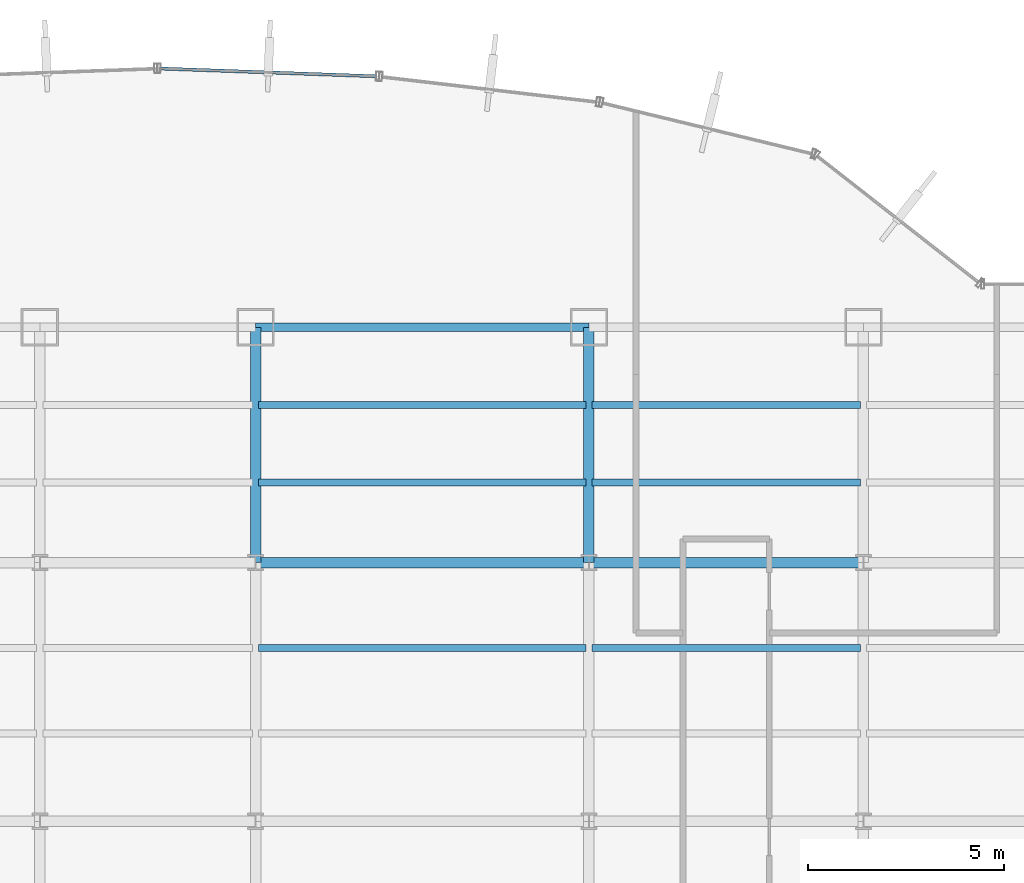
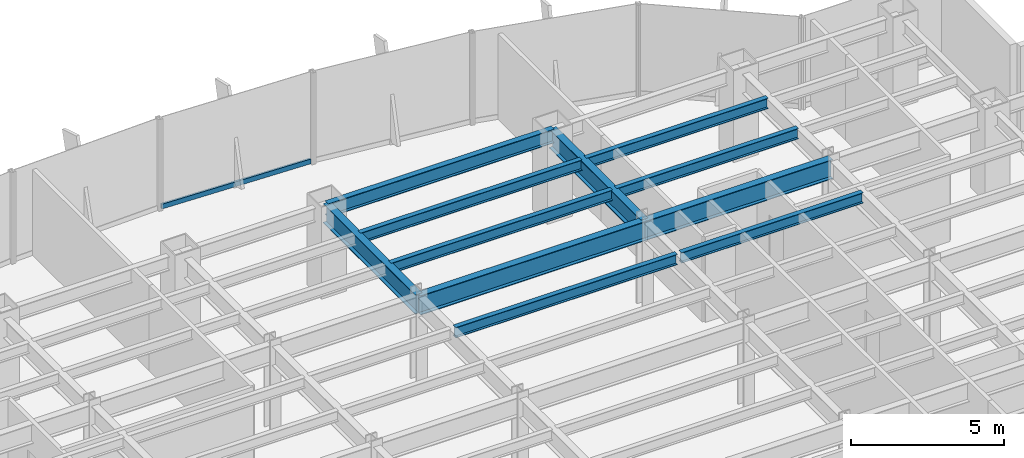
# One storey, part 13 of 22: 11 beams, 1 member, 1 element without a shape of its own.
"""IFC4 building model written with IfcOpenShell, lengths in metres."""

from ifc_helpers import new_model, si_unit, derived_unit, direction, frame, origin, origin_2d, place, context, subcontext, project, spatial, hollow_rectangle, i_section, extrude, source, transform, mapped, material, material_profile, profile_set, type_object, element, aggregate, save


model = new_model("IFC4")

# Units and contexts
model_context = context("Model", 3, precision=1e-05, world=origin(), true_north=direction((0.0, 1.0)))
body_context = subcontext(model_context, "Body", "Model", "MODEL_VIEW")
ifc_project = project(units=[si_unit("LENGTHUNIT", "METRE"), si_unit("AREAUNIT", "SQUARE_METRE"), si_unit("VOLUMEUNIT", "CUBIC_METRE"), si_unit("PLANEANGLEUNIT", "RADIAN"), si_unit("MASSUNIT", "GRAM", prefix="KILO"), derived_unit("THERMALTRANSMITTANCEUNIT", [(si_unit("POWERUNIT", "WATT"), 1), (si_unit("LENGTHUNIT", "METRE"), -2), (si_unit("THERMODYNAMICTEMPERATUREUNIT", "KELVIN"), -1)])], contexts=[model_context])

# Site, building, storey
site_placement = place(None, origin())
site = spatial("IfcSite", under=ifc_project, at=site_placement, CompositionType="ELEMENT")
building_placement = place(site_placement, origin())
building = spatial("IfcBuilding", under=site, at=building_placement, Name="Skarnbrae Concourse Arena and Tower", CompositionType="ELEMENT")
storey_placement = place(building_placement, frame((0.0, 0.0, 39.800048828125)))
storey = spatial("IfcBuildingStorey", under=building, at=storey_placement, Name="L08", CompositionType="ELEMENT", Elevation=39.800048828125)

# Beams
ifc_material_1 = material(Name="Steel CSA G40.21 350W", Category="steel")
ifc_material_profile_1 = material_profile(ifc_material_1, i_section(OverallWidth=0.26806640625, OverallDepth=0.77001953125, WebThickness=0.015625, FlangeThickness=0.025390625, at=origin_2d()), Name="W760X196")
ifc_profile_set_1 = profile_set([ifc_material_profile_1], Name="Steel CSA G40.21 350W")
beam_type_1 = type_object("IfcBeamType", Name="BM-GIRD-W760X196", PredefinedType="BEAM", material=ifc_profile_set_1)
shared_shape_1 = source(origin(), body_context, "Body", "SweptSolid", [
    extrude(i_section(OverallWidth=0.26806640625, OverallDepth=0.77001953125, WebThickness=0.015625, FlangeThickness=0.025390625, at=origin_2d()), origin(), (0.0, 0.0, 1.0), 7.0),
])
beam_1_placement = place(storey_placement, frame((42.0, 34.39990234375, 3.014892578125), z_axis=(1.0, 0.0, 0.0), x_axis=(0.0, 1.0, 0.0)))
element("IfcBeam", 1, at=beam_1_placement, inside=storey, type_object=beam_type_1, Name="L08 Primary E-W girder Y34.4-7", PredefinedType="BEAM", context=body_context, shape_type="MappedRepresentation", body=[
    mapped(shared_shape_1, transform((0.0, 0.0, 0.0))),
])
shared_shape_2 = source(origin(), body_context, "Body", "SweptSolid", [
    extrude(i_section(OverallWidth=0.26806640625, OverallDepth=0.77001953125, WebThickness=0.015625, FlangeThickness=0.025390625, at=origin_2d()), origin(), (0.0, 0.0, 1.0), 8.5),
])
beam_2_placement = place(storey_placement, frame((33.5, 34.39990234375, 3.014892578125), z_axis=(1.0, 0.0, 0.0), x_axis=(0.0, 1.0, 0.0)))
element("IfcBeam", 2, at=beam_2_placement, inside=storey, type_object=beam_type_1, Name="L08 Primary E-W girder Y34.4-6", PredefinedType="BEAM", context=body_context, shape_type="MappedRepresentation", body=[
    mapped(shared_shape_2, transform((0.0, 0.0, 0.0))),
])
shared_shape_3 = source(origin(), body_context, "Body", "SweptSolid", [
    extrude(i_section(OverallWidth=0.26806640625, OverallDepth=0.77001953125, WebThickness=0.015625, FlangeThickness=0.025390625, at=origin_2d()), origin(), (0.0, 0.0, 1.0), 6.0),
])
for number, where, z_axis, x_axis, name in (
    (3, (33.5, 34.39990234375, 3.014892578125), (0.0, 1.0, 0.0), (-1.0, 0.0, 0.0), "L08 Primary N-S girder X33.5-4"),
    (4, (42.0, 34.39990234375, 3.014892578125), (0.0, 1.0, 0.0), (-1.0, 0.0, 0.0), "L08 Primary N-S girder X42.0-5"),
):
    element("IfcBeam", number, at=place(storey_placement, frame(where, z_axis=z_axis, x_axis=x_axis)), inside=storey, type_object=beam_type_1, Name=name, PredefinedType="BEAM", context=body_context, shape_type="MappedRepresentation", body=[
        mapped(shared_shape_3, transform((0.0, 0.0, 0.0))),
    ])
ifc_material_profile_2 = material_profile(ifc_material_1, i_section(OverallWidth=0.214111328125, OverallDepth=0.549072265625, WebThickness=0.0146484375, FlangeThickness=0.023681640625, at=origin_2d()), Name="W530X138")
ifc_profile_set_2 = profile_set([ifc_material_profile_2], Name="Steel CSA G40.21 350W")
beam_type_2 = type_object("IfcBeamType", Name="BM-SPAN-W530X138", PredefinedType="SPANDREL", material=ifc_profile_set_2)
shared_shape_4 = source(origin(), body_context, "Body", "SweptSolid", [
    extrude(i_section(OverallWidth=0.214111328125, OverallDepth=0.549072265625, WebThickness=0.0146484375, FlangeThickness=0.023681640625, at=origin_2d()), origin(), (0.0, 0.0, 1.0), 8.5),
])
beam_3_placement = place(storey_placement, frame((33.5, 40.39990234375, 3.12548828125), z_axis=(1.0, 0.0, 0.0), x_axis=(0.0, 1.0, 0.0)))
element("IfcBeam", 5, at=beam_3_placement, inside=storey, type_object=beam_type_2, Name="L08 Perimeter spandrel Y40.4-5", PredefinedType="SPANDREL", context=body_context, shape_type="MappedRepresentation", body=[
    mapped(shared_shape_4, transform((0.0, 0.0, 0.0))),
])
ifc_material_profile_3 = material_profile(ifc_material_1, i_section(OverallWidth=0.180908203125, OverallDepth=0.4169921875, WebThickness=0.010986328125, FlangeThickness=0.018310546875, at=origin_2d()), Name="W410X85")
ifc_profile_set_3 = profile_set([ifc_material_profile_3], Name="Steel CSA G40.21 350W")
beam_type_3 = type_object("IfcBeamType", Name="BM-JOIST-W410X85", PredefinedType="JOIST", material=ifc_profile_set_3)
shared_shape_5 = source(origin(), body_context, "Body", "SweptSolid", [
    extrude(i_section(OverallWidth=0.180908203125, OverallDepth=0.4169921875, WebThickness=0.010986328125, FlangeThickness=0.018310546875, at=origin_2d()), origin(), (0.0, 0.0, 1.0), 8.33984375),
])
for number, where, z_axis, x_axis, name in (
    (6, (33.580078125, 32.221923828125, 3.19140625), (1.0, 0.0, 0.0), (0.0, 1.0, 0.0), "L08 Secondary floor joist 3.2.6"),
    (7, (33.580078125, 36.43994140625, 3.19140625), (1.0, 0.0, 0.0), (0.0, 1.0, 0.0), "L08 Secondary floor joist 4.1.5"),
    (8, (33.580078125, 38.419921875, 3.19140625), (1.0, 0.0, 0.0), (0.0, 1.0, 0.0), "L08 Secondary floor joist 4.2.5"),
):
    element("IfcBeam", number, at=place(storey_placement, frame(where, z_axis=z_axis, x_axis=x_axis)), inside=storey, type_object=beam_type_3, Name=name, PredefinedType="JOIST", context=body_context, shape_type="MappedRepresentation", body=[
        mapped(shared_shape_5, transform((0.0, 0.0, 0.0))),
    ])
shared_shape_6 = source(origin(), body_context, "Body", "SweptSolid", [
    extrude(i_section(OverallWidth=0.180908203125, OverallDepth=0.4169921875, WebThickness=0.010986328125, FlangeThickness=0.018310546875, at=origin_2d()), origin(), (0.0, 0.0, 1.0), 6.83984375),
])
for number, where, z_axis, x_axis, name in (
    (9, (42.080078125, 32.221923828125, 3.19140625), (1.0, 0.0, 0.0), (0.0, 1.0, 0.0), "L08 Secondary floor joist 3.2.7"),
    (10, (42.080078125, 36.43994140625, 3.19140625), (1.0, 0.0, 0.0), (0.0, 1.0, 0.0), "L08 Secondary floor joist 4.1.6"),
    (11, (42.080078125, 38.419921875, 3.19140625), (1.0, 0.0, 0.0), (0.0, 1.0, 0.0), "L08 Secondary floor joist 4.2.6"),
):
    element("IfcBeam", number, at=place(storey_placement, frame(where, z_axis=z_axis, x_axis=x_axis)), inside=storey, type_object=beam_type_3, Name=name, PredefinedType="JOIST", context=body_context, shape_type="MappedRepresentation", body=[
        mapped(shared_shape_6, transform((0.0, 0.0, 0.0))),
    ])

# Curtain wall, member
ifc_material_2 = material(Name="Bronze anodised aluminium 6063-T6", Category="aluminium")
curtain_wall_type = type_object("IfcCurtainWallType", Name="CW-SYS-02-LOWZONE", PredefinedType="USERDEFINED", material=ifc_material_2)
curtain_wall_placement = place(storey_placement, origin())
curtain_wall = element("IfcCurtainWall", 12, at=curtain_wall_placement, inside=storey, type_object=curtain_wall_type, Name="L08 Unitised curtain wall CW-L08-E11", ObjectType="UNITISED CURTAIN WALL", PredefinedType="USERDEFINED")
ifc_material_profile_4 = material_profile(ifc_material_2, hollow_rectangle(XDim=0.080078125, YDim=0.18994140625, WallThickness=0.0048828125, at=origin_2d()), Name="ALU-TRAN-80X190")
ifc_profile_set_4 = profile_set([ifc_material_profile_4], Name="Bronze anodised aluminium 6063-T6")
member_type = type_object("IfcMemberType", Name="CWT-CW-02", PredefinedType="USERDEFINED", material=ifc_profile_set_4)
shared_shape_7 = source(origin(), body_context, "Body", "SweptSolid", [
    extrude(hollow_rectangle(XDim=0.080078125, YDim=0.18994140625, WallThickness=0.0048828125, at=origin_2d()), origin(), (0.0, 0.0, 1.0), 5.497802734375),
])
member_placement = place(storey_placement, frame((36.573974609375, 46.7998046875, 0.094970703125), z_axis=(-0.999356047798, 0.03588160712, 0.0), x_axis=(-0.03588160712, -0.999356047798, 0.0)))
member = element("IfcMember", 13, at=member_placement, type_object=member_type, Name="CW-L08-E11 Transom 1", ObjectType="TRANSOM", PredefinedType="USERDEFINED", context=body_context, shape_type="MappedRepresentation", body=[
    mapped(shared_shape_7, transform((0.0, 0.0, 0.0))),
])
aggregate(curtain_wall, [member])

save(model, "model.ifc")
